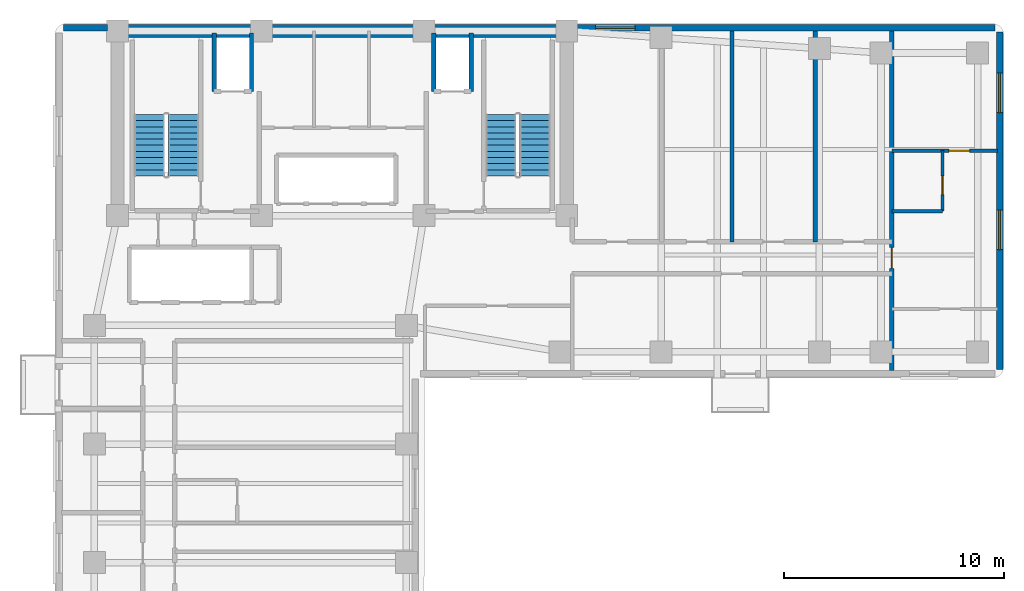
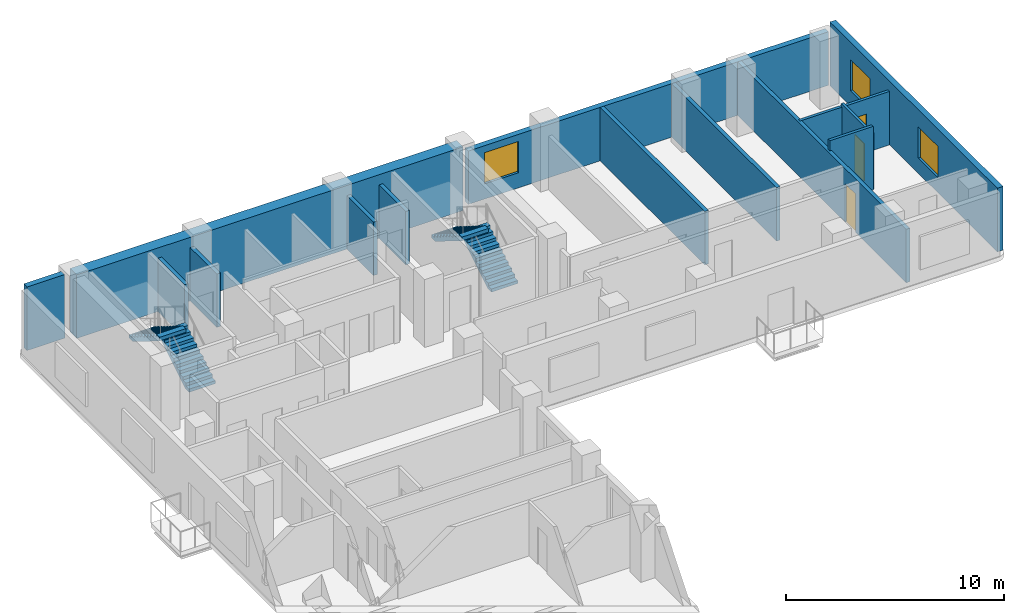
# One storey, part 5 of 7: 14 walls, 4 stair flights, 3 doors, 3 windows, 6 openings, 2 elements without a shape of their own.
"""IFC4 building model written with IfcOpenShell, lengths in metres."""

from ifc_helpers import new_model, si_unit, direction, frame, frame_2d, origin, place, context, subcontext, project, spatial, polyline, rectangle, outline, extrude, material, layer, layer_set, type_object, element, fill, aggregate, save


model = new_model("IFC4")

# Units and contexts
model_context = context("Model", 3, precision=1e-05, world=origin(), true_north=direction((0.0, 1.0)))
body_context = subcontext(model_context, "Body", "Model", "MODEL_VIEW")
ifc_project = project(units=[si_unit("LENGTHUNIT", "METRE"), si_unit("AREAUNIT", "SQUARE_METRE"), si_unit("VOLUMEUNIT", "CUBIC_METRE"), si_unit("PLANEANGLEUNIT", "RADIAN"), si_unit("MASSUNIT", "GRAM", prefix="KILO")], contexts=[model_context])

# Site, building, storey
site_placement = place(None, origin())
site = spatial("IfcSite", under=ifc_project, at=site_placement, CompositionType="ELEMENT")
building_placement = place(site_placement, origin())
building = spatial("IfcBuilding", under=site, at=building_placement, Name="Kuzgunbayir Cultural Tower", CompositionType="ELEMENT")
storey_placement = place(building_placement, frame((0.0, 0.0, 152.199951171875)))
storey = spatial("IfcBuildingStorey", under=building, at=storey_placement, Name="L44", CompositionType="ELEMENT", Elevation=152.199951171875)

# Wall
ifc_material_1 = material(Name="Concrete C60/75", Category="concrete")
ifc_layer_1 = layer(ifc_material_1, 0.60009765625)
ifc_layer_set_1 = layer_set([ifc_layer_1], Name="Concrete C60/75")
wall_type_1 = type_object("IfcWallType", Name="WAL-CORE-600", PredefinedType="SHEAR", material=ifc_layer_set_1)
wall_1_placement = place(storey_placement, frame((6.449951171875, 42.199951171875, 0.0), z_axis=(0.0, 0.0, 1.0), x_axis=(1.0, 0.0, 0.0)))
element("IfcWall", 1, at=wall_1_placement, inside=storey, type_object=wall_type_1, Name="L44 T1 Core North Shear Wall", PredefinedType="SHEAR", context=body_context, shape_type="SweptSolid", body=[
    extrude(rectangle(XDim=20.449951171875, YDim=0.60009765625, at=frame_2d((10.22509765625, 0.0))), origin(), (0.0, 0.0, 1.0), 3.56005859375),
])

# Wall, opening, window
ifc_material_2 = material(Name="Anatolian Cream Limestone", Category="masonry")
ifc_layer_2 = layer(ifc_material_2, 0.300048828125)
ifc_layer_set_2 = layer_set([ifc_layer_2], Name="Anatolian Cream Limestone")
wall_type_2 = type_object("IfcWallType", Name="WAL-EXT-STONE-300", PredefinedType="STANDARD", material=ifc_layer_set_2)
wall_2_placement = place(storey_placement, frame((46.39990234375, 42.35009765625, 0.0), z_axis=(0.0, 0.0, 1.0), x_axis=(-1.0, 0.0, 0.0)))
wall_2 = element("IfcWall", 2, at=wall_2_placement, inside=storey, type_object=wall_type_2, Name="L44 North Wing B Limestone Wall", PredefinedType="STANDARD", context=body_context, shape_type="SweptSolid", body=[
    extrude(rectangle(XDim=19.0498046875, YDim=0.300048828125, at=frame_2d((9.52490234375, 0.0))), origin(), (0.0, 0.0, 1.0), 2.989990234375),
])
opening_1_placement = place(wall_2_placement, frame((16.389892578125, 0.0, 0.85009765625)))
opening_1 = element("IfcOpeningElement", 3, at=opening_1_placement, cuts=wall_2, Name="Opening WH-18", PredefinedType="OPENING", context=body_context, shape_type="SweptSolid", body=[
    extrude(rectangle(XDim=1.800048828125, YDim=1.75, at=frame_2d((0.89990234375, 0.875))), frame((0.0, 0.16015625, 0.0), z_axis=(0.0, -1.0, 0.0), x_axis=(1.0, 0.0, 0.0)), (0.0, 0.0, 1.0), 0.320068359375),
])
ifc_material_3 = material(Name="Solar-Control Triple Glazing", Category="glass")
window_type = type_object("IfcWindowType", Name="WIN-HOTEL-18", PartitioningType="SINGLE_PANEL", PredefinedType="WINDOW", material=ifc_material_3)
window_1_placement = place(opening_1_placement, origin())
window_1 = element("IfcWindow", 4, at=window_1_placement, inside=storey, type_object=window_type, Name="L44 CRN Facade Window 8", OverallHeight=1.75, OverallWidth=1.800048828125, PartitioningType="SINGLE_PANEL", PredefinedType="WINDOW", context=body_context, shape_type="SweptSolid", body=[
    extrude(rectangle(XDim=1.800048828125, YDim=1.75, at=frame_2d((0.89990234375, 0.875))), frame((0.0, 0.030029296875, 0.0), z_axis=(0.0, -1.0, 0.0), x_axis=(1.0, 0.0, 0.0)), (0.0, 0.0, 1.0), 0.06005859375),
])
fill(opening_1, window_1)

# Wall
wall_3_placement = place(storey_placement, frame((6.0, 42.35009765625, 0.0), z_axis=(0.0, 0.0, 1.0), x_axis=(-1.0, 0.0, 0.0)))
element("IfcWall", 5, at=wall_3_placement, inside=storey, type_object=wall_type_2, Name="L44 Core North-West Spandrel Link", PredefinedType="STANDARD", context=body_context, shape_type="SweptSolid", body=[
    extrude(rectangle(XDim=2.0, YDim=0.300048828125, at=frame_2d((1.0, 0.0))), origin(), (0.0, 0.0, 1.0), 3.56005859375),
])

# Wall, openings, windows
wall_4_placement = place(storey_placement, frame((46.60009765625, 26.800048828125, 0.0), z_axis=(0.0, 0.0, 1.0), x_axis=(0.0, 1.0, 0.0)))
wall_4 = element("IfcWall", 6, at=wall_4_placement, inside=storey, type_object=wall_type_2, Name="L44 Wing B East Limestone Wall", PredefinedType="STANDARD", context=body_context, shape_type="SweptSolid", body=[
    extrude(rectangle(XDim=15.349853515625, YDim=0.300048828125, at=frame_2d((7.6748046875, 0.0))), origin(), (0.0, 0.0, 1.0), 3.56005859375),
])
opening_2_placement = place(wall_4_placement, frame((5.449951171875, 0.0, 0.85009765625)))
opening_2 = element("IfcOpeningElement", 7, at=opening_2_placement, cuts=wall_4, Name="Opening WH-18", PredefinedType="OPENING", context=body_context, shape_type="SweptSolid", body=[
    extrude(rectangle(XDim=1.800048828125, YDim=1.75, at=frame_2d((0.89990234375, 0.875))), frame((0.0, 0.16015625, 0.0), z_axis=(0.0, -1.0, 0.0), x_axis=(1.0, 0.0, 0.0)), (0.0, 0.0, 1.0), 0.320068359375),
])
opening_3_placement = place(wall_4_placement, frame((11.679931640625, 0.0, 0.85009765625)))
opening_3 = element("IfcOpeningElement", 8, at=opening_3_placement, cuts=wall_4, Name="Opening WH-18", PredefinedType="OPENING", context=body_context, shape_type="SweptSolid", body=[
    extrude(rectangle(XDim=1.800048828125, YDim=1.75, at=frame_2d((0.89990234375, 0.875))), frame((0.0, 0.16015625, 0.0), z_axis=(0.0, -1.0, 0.0), x_axis=(1.0, 0.0, 0.0)), (0.0, 0.0, 1.0), 0.320068359375),
])
window_2_placement = place(opening_2_placement, origin())
window_2 = element("IfcWindow", 9, at=window_2_placement, inside=storey, type_object=window_type, Name="L44 WBE Facade Window 6", OverallHeight=1.75, OverallWidth=1.800048828125, PartitioningType="SINGLE_PANEL", PredefinedType="WINDOW", context=body_context, shape_type="SweptSolid", body=[
    extrude(rectangle(XDim=1.800048828125, YDim=1.75, at=frame_2d((0.89990234375, 0.875))), frame((0.0, 0.030029296875, 0.0), z_axis=(0.0, -1.0, 0.0), x_axis=(1.0, 0.0, 0.0)), (0.0, 0.0, 1.0), 0.06005859375),
])
fill(opening_2, window_2)
window_3_placement = place(opening_3_placement, origin())
window_3 = element("IfcWindow", 10, at=window_3_placement, inside=storey, type_object=window_type, Name="L44 WBE Facade Window 7", OverallHeight=1.75, OverallWidth=1.800048828125, PartitioningType="SINGLE_PANEL", PredefinedType="WINDOW", context=body_context, shape_type="SweptSolid", body=[
    extrude(rectangle(XDim=1.800048828125, YDim=1.75, at=frame_2d((0.89990234375, 0.875))), frame((0.0, 0.030029296875, 0.0), z_axis=(0.0, -1.0, 0.0), x_axis=(1.0, 0.0, 0.0)), (0.0, 0.0, 1.0), 0.06005859375),
])
fill(opening_3, window_3)

# Wall, opening, door
ifc_material_4 = material(Name="Acoustic Double-Stud Drywall", Category="gypsum")
ifc_layer_3 = layer(ifc_material_4, 0.14990234375)
ifc_layer_set_3 = layer_set([ifc_layer_3], Name="Acoustic Double-Stud Drywall")
wall_type_3 = type_object("IfcWallType", Name="WAL-PART-ACOUSTIC-150", PredefinedType="PARTITIONING", material=ifc_layer_set_3)
wall_5_placement = place(storey_placement, frame((41.699951171875, 36.75, 0.0), z_axis=(0.0, 0.0, 1.0), x_axis=(1.0, 0.0, 0.0)))
wall_5 = element("IfcWall", 11, at=wall_5_placement, inside=storey, type_object=wall_type_3, Name="L44 Corner Suite Bedroom Wall", PredefinedType="PARTITIONING", context=body_context, shape_type="SweptSolid", body=[
    extrude(rectangle(XDim=4.800048828125, YDim=0.14990234375, at=frame_2d((2.39990234375, 0.0))), origin(), (0.0, 0.0, 1.0), 2.989990234375),
])
opening_4_placement = place(wall_5_placement, frame((2.590087890625, 0.0, 0.0)))
opening_4 = element("IfcOpeningElement", 12, at=opening_4_placement, cuts=wall_5, Name="Opening DI-90", PredefinedType="OPENING", context=body_context, shape_type="SweptSolid", body=[
    extrude(rectangle(XDim=0.949951171875, YDim=2.14990234375, at=frame_2d((0.47509765625, 1.074951171875))), frame((0.0, 0.0849609375, 0.0), z_axis=(0.0, -1.0, 0.0), x_axis=(1.0, 0.0, 0.0)), (0.0, 0.0, 1.0), 0.169921875),
])
ifc_material_5 = material(Name="Veneered Oak Single Leaf", Category="wood")
door_type_1 = type_object("IfcDoorType", Name="DR-INT-90", OperationType="NOTDEFINED", PredefinedType="DOOR", material=ifc_material_5)
door_1_placement = place(opening_4_placement, origin())
door_1 = element("IfcDoor", 13, at=door_1_placement, inside=storey, type_object=door_type_1, Name="L44 Corner Bedroom Door", OperationType="SINGLE_SWING_RIGHT", OverallHeight=2.14990234375, OverallWidth=0.949951171875, PredefinedType="DOOR", context=body_context, shape_type="SweptSolid", body=[
    extrude(rectangle(XDim=0.949951171875, YDim=2.14990234375, at=frame_2d((0.47509765625, 1.074951171875))), frame((0.0, 0.02490234375, 0.0), z_axis=(0.0, -1.0, 0.0), x_axis=(1.0, 0.0, 0.0)), (0.0, 0.0, 1.0), 0.050048828125),
])
fill(opening_4, door_1)

ifc_material_6 = material(Name="Aerated Concrete Blockwork", Category="masonry")
ifc_layer_4 = layer(ifc_material_6, 0.199951171875)
ifc_layer_set_4 = layer_set([ifc_layer_4], Name="Aerated Concrete Blockwork")
wall_type_4 = type_object("IfcWallType", Name="WAL-PART-FIRE-200", PredefinedType="PARTITIONING", material=ifc_layer_set_4)
wall_6_placement = place(storey_placement, frame((41.699951171875, 26.75, 0.0), z_axis=(0.0, 0.0, 1.0), x_axis=(0.0, 1.0, 0.0)))
wall_6 = element("IfcWall", 14, at=wall_6_placement, inside=storey, type_object=wall_type_4, Name="L44 Wing B East Suite Wall", PredefinedType="PARTITIONING", context=body_context, shape_type="SweptSolid", body=[
    extrude(rectangle(XDim=15.449951171875, YDim=0.199951171875, at=frame_2d((7.72509765625, 0.0))), origin(), (0.0, 0.0, 1.0), 2.989990234375),
])
opening_5_placement = place(wall_6_placement, frame((4.64990234375, 0.0, 0.0)))
opening_5 = element("IfcOpeningElement", 15, at=opening_5_placement, cuts=wall_6, Name="Opening DR-APT-60", PredefinedType="OPENING", context=body_context, shape_type="SweptSolid", body=[
    extrude(rectangle(XDim=0.949951171875, YDim=2.14990234375, at=frame_2d((0.47509765625, 1.074951171875))), frame((0.0, 0.10986328125, 0.0), z_axis=(0.0, -1.0, 0.0), x_axis=(1.0, 0.0, 0.0)), (0.0, 0.0, 1.0), 0.219970703125),
])
ifc_material_7 = material(Name="Acoustic Fire Timber Leaf", Category="wood")
door_type_2 = type_object("IfcDoorType", Name="DR-APT-60", OperationType="NOTDEFINED", PredefinedType="DOOR", material=ifc_material_7)
door_2_placement = place(opening_5_placement, origin())
door_2 = element("IfcDoor", 16, at=door_2_placement, inside=storey, type_object=door_type_2, Name="L44 Corner Suite Entrance", OperationType="SINGLE_SWING_LEFT", OverallHeight=2.14990234375, OverallWidth=0.949951171875, PredefinedType="DOOR", context=body_context, shape_type="SweptSolid", body=[
    extrude(rectangle(XDim=0.949951171875, YDim=2.14990234375, at=frame_2d((0.47509765625, 1.074951171875))), frame((0.0, 0.02490234375, 0.0), z_axis=(0.0, -1.0, 0.0), x_axis=(1.0, 0.0, 0.0)), (0.0, 0.0, 1.0), 0.050048828125),
])
fill(opening_5, door_2)

# Walls
for number, where, z_axis, x_axis, name in (
    (17, (34.419921875, 32.60009765625, 0.0), (0.0, 0.0, 1.0), (0.0, 1.0, 0.0), "L44 Wing B North Party Wall 2"),
    (18, (38.2099609375, 32.60009765625, 0.0), (0.0, 0.0, 1.0), (0.0, 1.0, 0.0), "L44 Wing B North Party Wall 3"),
):
    element("IfcWall", number, at=place(storey_placement, frame(where, z_axis=z_axis, x_axis=x_axis)), inside=storey, type_object=wall_type_4, Name=name, PredefinedType="PARTITIONING", context=body_context, shape_type="SweptSolid", body=[
        extrude(rectangle(XDim=9.599853515625, YDim=0.199951171875, at=frame_2d((4.7998046875, 0.0))), origin(), (0.0, 0.0, 1.0), 2.989990234375),
    ])
ifc_material_8 = material(Name="Moisture-Resistant Tile Partition", Category="gypsum")
ifc_layer_5 = layer(ifc_material_8, 0.14990234375)
ifc_layer_set_5 = layer_set([ifc_layer_5], Name="Moisture-Resistant Tile Partition")
wall_type_5 = type_object("IfcWallType", Name="WAL-PART-WET-150", PredefinedType="PARTITIONING", material=ifc_layer_set_5)
wall_7_placement = place(storey_placement, frame((41.699951171875, 34.0, 0.0), z_axis=(0.0, 0.0, 1.0), x_axis=(1.0, 0.0, 0.0)))
element("IfcWall", 19, at=wall_7_placement, inside=storey, type_object=wall_type_5, Name="L44 Corner Suite Bath South Wall", PredefinedType="PARTITIONING", context=body_context, shape_type="SweptSolid", body=[
    extrude(rectangle(XDim=2.300048828125, YDim=0.14990234375, at=frame_2d((1.14990234375, 0.0))), origin(), (0.0, 0.0, 1.0), 3.56005859375),
])

# Wall, opening, door
wall_8_placement = place(storey_placement, frame((44.0, 34.0, 0.0), z_axis=(0.0, 0.0, 1.0), x_axis=(0.0, 1.0, 0.0)))
wall_8 = element("IfcWall", 20, at=wall_8_placement, inside=storey, type_object=wall_type_5, Name="L44 Corner Suite Bath East Wall", PredefinedType="PARTITIONING", context=body_context, shape_type="SweptSolid", body=[
    extrude(rectangle(XDim=2.75, YDim=0.14990234375, at=frame_2d((1.375, 0.0))), origin(), (0.0, 0.0, 1.0), 3.150146484375),
])
opening_6_placement = place(wall_8_placement, frame((0.75, 0.0, 0.0)))
opening_6 = element("IfcOpeningElement", 21, at=opening_6_placement, cuts=wall_8, Name="Opening DW-85", PredefinedType="OPENING", context=body_context, shape_type="SweptSolid", body=[
    extrude(rectangle(XDim=0.85009765625, YDim=2.10009765625, at=frame_2d((0.425048828125, 1.050048828125))), frame((0.0, 0.0849609375, 0.0), z_axis=(0.0, -1.0, 0.0), x_axis=(1.0, 0.0, 0.0)), (0.0, 0.0, 1.0), 0.169921875),
])
ifc_material_9 = material(Name="Laminate Moisture-Resistant Leaf", Category="wood")
door_type_3 = type_object("IfcDoorType", Name="DR-WET-85", OperationType="NOTDEFINED", PredefinedType="DOOR", material=ifc_material_9)
door_3_placement = place(opening_6_placement, origin())
door_3 = element("IfcDoor", 22, at=door_3_placement, inside=storey, type_object=door_type_3, Name="L44 Corner Suite Bathroom Door", OperationType="SINGLE_SWING_LEFT", OverallHeight=2.10009765625, OverallWidth=0.85009765625, PredefinedType="DOOR", context=body_context, shape_type="SweptSolid", body=[
    extrude(rectangle(XDim=0.85009765625, YDim=2.10009765625, at=frame_2d((0.425048828125, 1.050048828125))), frame((0.0, 0.02490234375, 0.0), z_axis=(0.0, -1.0, 0.0), x_axis=(1.0, 0.0, 0.0)), (0.0, 0.0, 1.0), 0.050048828125),
])
fill(opening_6, door_3)

# Walls
ifc_material_10 = material(Name="Concrete C40/50", Category="concrete")
ifc_layer_6 = layer(ifc_material_10, 0.199951171875)
ifc_layer_set_6 = layer_set([ifc_layer_6], Name="Concrete C40/50")
wall_type_6 = type_object("IfcWallType", Name="WAL-SHAFT-200", PredefinedType="MOVABLE", material=ifc_layer_set_6)
for number, where, z_axis, x_axis, name in (
    (23, (10.85009765625, 39.449951171875, 0.0), (0.0, 0.0, 1.0), (0.0, 1.0, 0.0), "L44 FFL-1 Shaft West Wall"),
    (24, (12.550048828125, 39.449951171875, 0.0), (0.0, 0.0, 1.0), (0.0, 1.0, 0.0), "L44 FFL-1 Shaft East Wall"),
    (25, (20.85009765625, 39.449951171875, 0.0), (0.0, 0.0, 1.0), (0.0, 1.0, 0.0), "L44 FFL-2 Shaft West Wall"),
    (26, (22.550048828125, 39.449951171875, 0.0), (0.0, 0.0, 1.0), (0.0, 1.0, 0.0), "L44 FFL-2 Shaft East Wall"),
):
    element("IfcWall", number, at=place(storey_placement, frame(where, z_axis=z_axis, x_axis=x_axis)), inside=storey, type_object=wall_type_6, Name=name, PredefinedType="MOVABLE", context=body_context, shape_type="SweptSolid", body=[
        extrude(rectangle(XDim=2.650146484375, YDim=0.199951171875, at=frame_2d((1.3251953125, 0.0))), origin(), (0.0, 0.0, 1.0), 2.989990234375),
    ])

# Stair, stair flights
stair_type = type_object("IfcStairType", Name="STR-EXIT-CORE", PredefinedType="HALF_TURN_STAIR", material=ifc_material_10)
stair_1_placement = place(storey_placement, origin())
stair_1 = element("IfcStair", 27, at=stair_1_placement, inside=storey, type_object=stair_type, Name="L44 ST-1", PredefinedType="HALF_TURN_STAIR")
stair_flight_type = type_object("IfcStairFlightType", Name="STRF-RC-140", PredefinedType="STRAIGHT", material=ifc_material_10)
stair_flight_1_placement = place(storey_placement, frame((9.4599609375, 35.60009765625, 0.0), z_axis=(0.0, 0.0, 1.0), x_axis=(0.0, 1.0, 0.0)))
stair_flight_1 = element("IfcStairFlight", 28, at=stair_flight_1_placement, type_object=stair_flight_type, Name="ST-1 flight 1", NumberOfRisers=11, NumberOfTreads=10, PredefinedType="STRAIGHT", RiserHeight=0.172727273, TreadLength=0.28, context=body_context, shape_type="SweptSolid", body=[
    extrude(outline(polyline([(0.0, 0.0), (0.0, 0.172607421875), (0.280029296875, 0.172607421875), (0.280029296875, 0.345458984375), (0.56005859375, 0.345458984375), (0.56005859375, 0.51806640625), (0.840087890625, 0.51806640625), (0.840087890625, 0.69091796875), (1.1201171875, 0.69091796875), (1.1201171875, 0.863525390625), (1.39990234375, 0.863525390625), (1.39990234375, 1.036376953125), (1.679931640625, 1.036376953125), (1.679931640625, 1.208984375), (1.9599609375, 1.208984375), (1.9599609375, 1.3818359375), (2.239990234375, 1.3818359375), (2.239990234375, 1.554443359375), (2.52001953125, 1.554443359375), (2.52001953125, 1.727294921875), (2.800048828125, 1.727294921875), (2.800048828125, 1.89990234375), (2.800048828125, 1.515869140625), (0.3427734375, 0.0), (0.0, 0.0)])), frame((0.0, 0.699951171875, 0.0), z_axis=(0.0, -1.0, 0.0), x_axis=(1.0, 0.0, 0.0)), (0.0, 0.0, 1.0), 1.39990234375),
])
stair_flight_2_placement = place(storey_placement, frame((7.89990234375, 38.39990234375, 1.900146484375), z_axis=(0.0, 0.0, 1.0), x_axis=(0.0, -1.0, 0.0)))
stair_flight_2 = element("IfcStairFlight", 29, at=stair_flight_2_placement, type_object=stair_flight_type, Name="ST-1 flight 2", NumberOfRisers=11, NumberOfTreads=10, PredefinedType="STRAIGHT", RiserHeight=0.172727273, TreadLength=0.28, context=body_context, shape_type="SweptSolid", body=[
    extrude(outline(polyline([(0.0, 0.0), (0.0, 0.172607421875), (0.280029296875, 0.172607421875), (0.280029296875, 0.345458984375), (0.56005859375, 0.345458984375), (0.56005859375, 0.51806640625), (0.840087890625, 0.51806640625), (0.840087890625, 0.69091796875), (1.1201171875, 0.69091796875), (1.1201171875, 0.863525390625), (1.39990234375, 0.863525390625), (1.39990234375, 1.036376953125), (1.679931640625, 1.036376953125), (1.679931640625, 1.208984375), (1.9599609375, 1.208984375), (1.9599609375, 1.3818359375), (2.239990234375, 1.3818359375), (2.239990234375, 1.554443359375), (2.52001953125, 1.554443359375), (2.52001953125, 1.727294921875), (2.800048828125, 1.727294921875), (2.800048828125, 1.89990234375), (2.800048828125, 1.515869140625), (0.3427734375, 0.0), (0.0, 0.0)])), frame((0.0, 0.699951171875, 0.0), z_axis=(0.0, -1.0, 0.0), x_axis=(1.0, 0.0, 0.0)), (0.0, 0.0, 1.0), 1.39990234375),
])
aggregate(stair_1, [stair_flight_1, stair_flight_2])

stair_2_placement = place(storey_placement, origin())
stair_2 = element("IfcStair", 30, at=stair_2_placement, inside=storey, type_object=stair_type, Name="L44 ST-2", PredefinedType="HALF_TURN_STAIR")
stair_flight_3_placement = place(storey_placement, frame((25.4599609375, 35.60009765625, 0.0), z_axis=(0.0, 0.0, 1.0), x_axis=(0.0, 1.0, 0.0)))
stair_flight_3 = element("IfcStairFlight", 31, at=stair_flight_3_placement, type_object=stair_flight_type, Name="ST-2 flight 1", NumberOfRisers=11, NumberOfTreads=10, PredefinedType="STRAIGHT", RiserHeight=0.172727273, TreadLength=0.28, context=body_context, shape_type="SweptSolid", body=[
    extrude(outline(polyline([(0.0, 0.0), (0.0, 0.172607421875), (0.280029296875, 0.172607421875), (0.280029296875, 0.345458984375), (0.56005859375, 0.345458984375), (0.56005859375, 0.51806640625), (0.840087890625, 0.51806640625), (0.840087890625, 0.69091796875), (1.1201171875, 0.69091796875), (1.1201171875, 0.863525390625), (1.39990234375, 0.863525390625), (1.39990234375, 1.036376953125), (1.679931640625, 1.036376953125), (1.679931640625, 1.208984375), (1.9599609375, 1.208984375), (1.9599609375, 1.3818359375), (2.239990234375, 1.3818359375), (2.239990234375, 1.554443359375), (2.52001953125, 1.554443359375), (2.52001953125, 1.727294921875), (2.800048828125, 1.727294921875), (2.800048828125, 1.89990234375), (2.800048828125, 1.515869140625), (0.3427734375, 0.0), (0.0, 0.0)])), frame((0.0, 0.699951171875, 0.0), z_axis=(0.0, -1.0, 0.0), x_axis=(1.0, 0.0, 0.0)), (0.0, 0.0, 1.0), 1.39990234375),
])
stair_flight_4_placement = place(storey_placement, frame((23.89990234375, 38.39990234375, 1.900146484375), z_axis=(0.0, 0.0, 1.0), x_axis=(0.0, -1.0, 0.0)))
stair_flight_4 = element("IfcStairFlight", 32, at=stair_flight_4_placement, type_object=stair_flight_type, Name="ST-2 flight 2", NumberOfRisers=11, NumberOfTreads=10, PredefinedType="STRAIGHT", RiserHeight=0.172727273, TreadLength=0.28, context=body_context, shape_type="SweptSolid", body=[
    extrude(outline(polyline([(0.0, 0.0), (0.0, 0.172607421875), (0.280029296875, 0.172607421875), (0.280029296875, 0.345458984375), (0.56005859375, 0.345458984375), (0.56005859375, 0.51806640625), (0.840087890625, 0.51806640625), (0.840087890625, 0.69091796875), (1.1201171875, 0.69091796875), (1.1201171875, 0.863525390625), (1.39990234375, 0.863525390625), (1.39990234375, 1.036376953125), (1.679931640625, 1.036376953125), (1.679931640625, 1.208984375), (1.9599609375, 1.208984375), (1.9599609375, 1.3818359375), (2.239990234375, 1.3818359375), (2.239990234375, 1.554443359375), (2.52001953125, 1.554443359375), (2.52001953125, 1.727294921875), (2.800048828125, 1.727294921875), (2.800048828125, 1.89990234375), (2.800048828125, 1.515869140625), (0.3427734375, 0.0), (0.0, 0.0)])), frame((0.0, 0.699951171875, 0.0), z_axis=(0.0, -1.0, 0.0), x_axis=(1.0, 0.0, 0.0)), (0.0, 0.0, 1.0), 1.39990234375),
])
aggregate(stair_2, [stair_flight_3, stair_flight_4])

save(model, "model.ifc")
